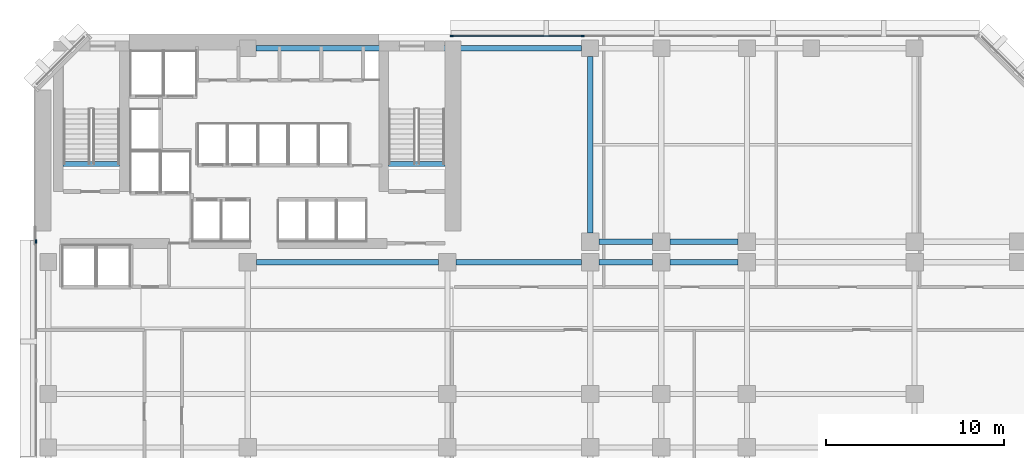
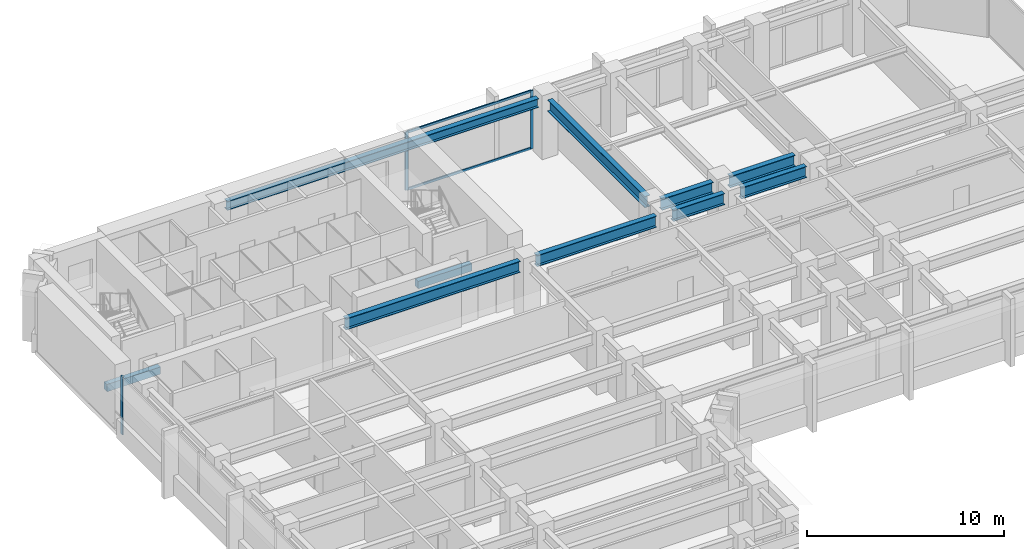
# One storey, part 4 of 13: 10 beams, 5 members, 2 elements without a shape of their own.
"""IFC4 building model written with IfcOpenShell, lengths in metres."""

import ifcopenshell
import ifcopenshell.guid

model = None  # the IFC model being written
_history = None  # IfcOwnerHistory: only IFC2X3 demands one
_inside = {}  # id of a spatial element -> (the spatial element, [elements in it])
_under = {}  # id of a project, library or spatial element -> (it, [spatial elements below it])
_declared = {}  # id of a project -> (the project, [libraries it declares])
_typed = {}  # id of a type object -> (the type object, [elements of that type])
_made_of = {}  # id of a material, layer set ... -> (it, [elements and type objects made of it])


def new_model(schema):
    """Start an empty IFC model of exactly this schema.

    Asked for "IFC4X3", IfcOpenShell would pick the latest addendum, in which some entities
    have other attributes; the version numbers below select the first issue.
    IFC2X3 requires an IfcOwnerHistory on every rooted entity: one is made here for all.
    """
    global model, _history
    if schema == "IFC4X3":
        model = ifcopenshell.file(schema_version=(4, 3, 0, 0))
    else:
        model = ifcopenshell.file(schema=schema)
    _inside.clear()
    _under.clear()
    _declared.clear()
    _typed.clear()
    _made_of.clear()
    _history = None
    if model.schema == "IFC2X3":
        org = make("IfcOrganization", Name="unknown")
        user = make(
            "IfcPersonAndOrganization",
            ThePerson=make("IfcPerson", FamilyName="unknown"),
            TheOrganization=org,
        )
        app = make(
            "IfcApplication",
            ApplicationDeveloper=org,
            Version="unknown",
            ApplicationFullName="unknown",
            ApplicationIdentifier="unknown",
        )
        _history = make(
            "IfcOwnerHistory",
            OwningUser=user,
            OwningApplication=app,
            ChangeAction="ADDED",
            CreationDate=0,
        )
    return model


def make(cls, **values):
    """One entity of the class cls with the attributes given. An attribute that is None is left unset."""
    return model.create_entity(
        cls, **{name: value for name, value in values.items() if value is not None}
    )


def rooted(cls, **values):
    """An entity with a GlobalId (a new one), such as an element, a storey or a relation."""
    return make(cls, GlobalId=ifcopenshell.guid.new(), OwnerHistory=_history, **values)


def si_unit(unit_type, name, prefix=None):
    """IfcSIUnit, for example si_unit("LENGTHUNIT", "METRE", prefix="MILLI")."""
    return make("IfcSIUnit", UnitType=unit_type, Prefix=prefix, Name=name)


def assignment(units):
    """IfcUnitAssignment: the units of a project."""
    return None if units is None else make("IfcUnitAssignment", Units=units)


def point(xyz):
    """IfcCartesianPoint."""
    return None if xyz is None else make("IfcCartesianPoint", Coordinates=xyz)


def direction(xyz):
    """IfcDirection."""
    return None if xyz is None else make("IfcDirection", DirectionRatios=xyz)


def frame(location, z_axis=None, x_axis=None):
    """IfcAxis2Placement3D, a coordinate frame: its origin and axes. An axis left out is left unset."""
    return make(
        "IfcAxis2Placement3D",
        Location=point(location),
        Axis=direction(z_axis),
        RefDirection=direction(x_axis),
    )


def frame_2d(location, x_axis=None):
    """IfcAxis2Placement2D, a coordinate frame in the plane: its origin and x axis."""
    return make(
        "IfcAxis2Placement2D", Location=point(location), RefDirection=direction(x_axis)
    )


def origin():
    """The frame at (0, 0, 0) with its axes left unset."""
    return frame((0.0, 0.0, 0.0))


def origin_2d():
    """The frame at (0, 0) in the plane with its x axis left unset."""
    return frame_2d((0.0, 0.0))


def place(relative_to, where):
    """IfcLocalPlacement: puts the frame where relative to a parent placement (None: the world)."""
    return make(
        "IfcLocalPlacement", PlacementRelTo=relative_to, RelativePlacement=where
    )


def context(
    kind, dimensions, precision=None, world=None, true_north=None, identifier=None
):
    """IfcGeometricRepresentationContext, for example the 3D "Model" context."""
    return make(
        "IfcGeometricRepresentationContext",
        ContextIdentifier=identifier,
        ContextType=kind,
        CoordinateSpaceDimension=dimensions,
        Precision=precision,
        WorldCoordinateSystem=world,
        TrueNorth=true_north,
    )


def subcontext(parent, identifier, kind, view, scale=None):
    """IfcGeometricRepresentationSubContext, for example "Body" below "Model"."""
    return make(
        "IfcGeometricRepresentationSubContext",
        ContextIdentifier=identifier,
        ContextType=kind,
        ParentContext=parent,
        TargetScale=scale,
        TargetView=view,
    )


def project(units=None, contexts=None):
    """IfcProject with its units and contexts."""
    return rooted(
        "IfcProject",
        Name="project",
        RepresentationContexts=contexts,
        UnitsInContext=assignment(units),
    )


def spatial(cls, under=None, at=None, **own):
    """A site, building, storey or space (cls), placed at a placement, below another one or the project."""
    s = rooted(cls, ObjectPlacement=at, **own)
    if under is not None:
        _under.setdefault(under.id(), (under, []))[1].append(s)
    return s


def profile(cls, at=None, kind="AREA", **sizes):
    """A parametric profile (cls). Its sizes go by their IFC names, for example OverallWidth=200.0."""
    return make(cls, ProfileType=kind, Position=at, **sizes)


def rectangle(**sizes):
    """IfcRectangleProfileDef."""
    return profile("IfcRectangleProfileDef", **sizes)


def i_section(**sizes):
    """IfcIShapeProfileDef."""
    return profile("IfcIShapeProfileDef", **sizes)


def extrude(swept, where, along, depth):
    """IfcExtrudedAreaSolid: the profile swept, set in the frame where, extruded along a direction by depth."""
    return make(
        "IfcExtrudedAreaSolid",
        SweptArea=swept,
        Position=where,
        ExtrudedDirection=direction(along),
        Depth=depth,
    )


def shape(context_of_items, identifier, shape_type, items):
    """IfcShapeRepresentation: the items that make up one representation, for example the "Body"."""
    return make(
        "IfcShapeRepresentation",
        ContextOfItems=context_of_items,
        RepresentationIdentifier=identifier,
        RepresentationType=shape_type,
        Items=items,
    )


def material(Name=None, Category=None):
    """IfcMaterial."""
    return make("IfcMaterial", Name=Name, Category=Category)


def layer(
    of_material, thickness, ventilated=None, Name=None, Category=None, Priority=None
):
    """IfcMaterialLayer: one layer of a wall or slab, of a material (None: an air gap)."""
    return make(
        "IfcMaterialLayer",
        Material=of_material,
        LayerThickness=thickness,
        IsVentilated=ventilated,
        Name=Name,
        Category=Category,
        Priority=Priority,
    )


def layer_set(layers, Name=None):
    """IfcMaterialLayerSet."""
    return make("IfcMaterialLayerSet", MaterialLayers=layers, LayerSetName=Name)


def material_profile(
    of_material, cross_section, Name=None, Category=None, Priority=None
):
    """IfcMaterialProfile: a cross section and its material."""
    return make(
        "IfcMaterialProfile",
        Name=Name,
        Material=of_material,
        Profile=cross_section,
        Priority=Priority,
        Category=Category,
    )


def profile_set(profiles, Name=None, composite=None):
    """IfcMaterialProfileSet."""
    return make(
        "IfcMaterialProfileSet",
        Name=Name,
        MaterialProfiles=profiles,
        CompositeProfile=composite,
    )


def made_of(thing, what):
    """Note that an element or type object is made of a material, layer set ...; save() writes the relation."""
    if what is not None:
        _made_of.setdefault(what.id(), (what, []))[1].append(thing)
    return thing


def type_object(cls, material=None, **own):
    """A type object (cls), such as IfcWallType, which elements share."""
    return made_of(rooted(cls, **own), material)


def element(
    cls,
    number,
    at=None,
    inside=None,
    cuts=None,
    type_object=None,
    material=None,
    context=None,
    identifier="Body",
    shape_type=None,
    held_by="IfcProductDefinitionShape",
    body=None,
    shapes=None,
    **own,
):
    """One element of the class cls, such as IfcWall. Its Tag is "e" and its number.

    at: its placement. inside: the storey or other place that contains it. cuts: it is an
    opening in that element (IfcRelVoidsElement). A single representation is given by context,
    identifier, shape_type and body (its items); several are given by shapes. held_by: the class
    of the entity that holds the representations. save() writes the other relations.
    """
    e = rooted(cls, Tag="e%d" % number, ObjectPlacement=at, **own)
    if body is not None:
        shapes = [shape(context, identifier, shape_type, body)]
    if shapes is not None:
        e.Representation = make(held_by, Representations=shapes)
    if inside is not None:
        _inside.setdefault(inside.id(), (inside, []))[1].append(e)
    if cuts is not None:
        rooted(
            "IfcRelVoidsElement", RelatingBuildingElement=cuts, RelatedOpeningElement=e
        )
    if type_object is not None:
        _typed.setdefault(type_object.id(), (type_object, []))[1].append(e)
    return made_of(e, material)


def aggregate(whole, parts):
    """IfcRelAggregates: a whole, such as a stair, and the parts it consists of."""
    return rooted("IfcRelAggregates", RelatingObject=whole, RelatedObjects=parts)


def save(model, path):
    """Write the relations noted so far, then the file.

    IfcRelAggregates (storeys below a building ...), IfcRelContainedInSpatialStructure (elements
    in a storey), IfcRelDefinesByType, IfcRelAssociatesMaterial and IfcRelDeclares: one each for
    every whole, place, type object, material and project.
    """
    for whole, parts in _under.values():
        aggregate(whole, parts)
    for where, things in _inside.values():
        rooted(
            "IfcRelContainedInSpatialStructure",
            RelatedElements=things,
            RelatingStructure=where,
        )
    for kind, things in _typed.values():
        rooted("IfcRelDefinesByType", RelatedObjects=things, RelatingType=kind)
    for what, things in _made_of.values():
        rooted("IfcRelAssociatesMaterial", RelatedObjects=things, RelatingMaterial=what)
    for by, libraries in _declared.values():
        rooted("IfcRelDeclares", RelatingContext=by, RelatedDefinitions=libraries)
    model.write(path)


model = new_model("IFC4")

# Units and contexts
model_context = context("Model", 3, precision=1e-05, world=origin(), true_north=direction((0.0, 1.0)))
body_context = subcontext(model_context, "Body", "Model", "MODEL_VIEW")
ifc_project = project(units=[si_unit("LENGTHUNIT", "METRE"), si_unit("AREAUNIT", "SQUARE_METRE"), si_unit("VOLUMEUNIT", "CUBIC_METRE"), si_unit("PLANEANGLEUNIT", "RADIAN"), si_unit("MASSUNIT", "GRAM", prefix="KILO")], contexts=[model_context])

# Site, building, storey
site_placement = place(None, origin())
site = spatial("IfcSite", under=ifc_project, at=site_placement, CompositionType="ELEMENT")
building_placement = place(site_placement, origin())
building = spatial("IfcBuilding", under=site, at=building_placement, Name="Kefirva Bronze Tower", CompositionType="ELEMENT")
storey_placement = place(building_placement, frame((0.0, 0.0, 89.760009765625)))
storey = spatial("IfcBuildingStorey", under=building, at=storey_placement, Name="L21", CompositionType="ELEMENT", Elevation=89.760009765625)

# Curtain wall, members
ifc_material_1 = material(Name="Bronze anodised aluminium", Category="aluminium")
ifc_layer = layer(ifc_material_1, 0.199951171875, Name="Bronze anodised aluminium")
ifc_layer_set = layer_set([ifc_layer], Name="Bronze anodised aluminium")
curtain_wall_type = type_object("IfcCurtainWallType", Name="Unitised Bronze Ribbon Curtain Wall Zone 1", PredefinedType="USERDEFINED", material=ifc_layer_set)
curtain_wall_1_placement = place(storey_placement, origin())
curtain_wall_1 = element("IfcCurtainWall", 1, at=curtain_wall_1_placement, inside=storey, type_object=curtain_wall_type, Name="L21 Curtain Wall 3", ObjectType="UNITISED CURTAIN WALL", PredefinedType="USERDEFINED")
ifc_material_profile_1 = material_profile(ifc_material_1, rectangle(XDim=0.074951171875, YDim=0.179931640625, at=origin_2d()), Name="ALU 75x180")
ifc_profile_set_1 = profile_set([ifc_material_profile_1], Name="Bronze anodised aluminium")
member_type_1 = type_object("IfcMemberType", Name="Bronze Mullion 75x180", PredefinedType="MULLION", material=ifc_profile_set_1)
member_1_placement = place(storey_placement, frame((30.7900390625, 45.8798828125, 0.0), z_axis=(0.0, 0.0, 1.0), x_axis=(0.0, -1.0, 0.0)))
member_1 = element("IfcMember", 2, at=member_1_placement, type_object=member_type_1, Name="CW-01 mullion 4", PredefinedType="MULLION", context=body_context, shape_type="SweptSolid", body=[
    extrude(rectangle(XDim=0.074951171875, YDim=0.179931640625, at=origin_2d()), origin(), (0.0, 0.0, 1.0), 3.610107421875),
])
member_2_placement = place(storey_placement, frame((23.4423828125, 45.8798828125, 0.0), z_axis=(0.0, 0.0, 1.0), x_axis=(0.0, -1.0, 0.0)))
member_2 = element("IfcMember", 3, at=member_2_placement, type_object=member_type_1, Name="CW-01 mullion 5", PredefinedType="MULLION", context=body_context, shape_type="SweptSolid", body=[
    extrude(rectangle(XDim=0.074951171875, YDim=0.179931640625, at=origin_2d()), origin(), (0.0, 0.0, 1.0), 3.610107421875),
])

# Curtain wall, member
curtain_wall_2_placement = place(storey_placement, origin())
curtain_wall_2 = element("IfcCurtainWall", 4, at=curtain_wall_2_placement, inside=storey, type_object=curtain_wall_type, Name="L21 Curtain Wall 4", ObjectType="UNITISED CURTAIN WALL", PredefinedType="USERDEFINED")
member_3_placement = place(storey_placement, frame((0.1201171875, 34.357421875, 0.0), z_axis=(0.0, 0.0, 1.0), x_axis=(1.0, 0.0, 0.0)))
member_3 = element("IfcMember", 5, at=member_3_placement, type_object=member_type_1, Name="CW-01 mullion 1", PredefinedType="MULLION", context=body_context, shape_type="SweptSolid", body=[
    extrude(rectangle(XDim=0.074951171875, YDim=0.179931640625, at=origin_2d()), origin(), (0.0, 0.0, 1.0), 3.610107421875),
])
aggregate(curtain_wall_2, [member_3])

# Member
ifc_material_profile_2 = material_profile(ifc_material_1, rectangle(XDim=0.074951171875, YDim=0.14990234375, at=origin_2d()), Name="ALU 75x150")
ifc_profile_set_2 = profile_set([ifc_material_profile_2], Name="Bronze anodised aluminium")
member_type_2 = type_object("IfcMemberType", Name="Bronze Transom 75x150", PredefinedType="USERDEFINED", material=ifc_profile_set_2)
member_4_placement = place(storey_placement, frame((30.75244140625, 45.8798828125, 0.03759765625), z_axis=(-1.0, 0.0, 0.0), x_axis=(0.0, -1.0, 0.0)))
member_4 = element("IfcMember", 6, at=member_4_placement, type_object=member_type_2, Name="CW-01 transom 4.1", ObjectType="TRANSOM", PredefinedType="USERDEFINED", context=body_context, shape_type="SweptSolid", body=[
    extrude(rectangle(XDim=0.074951171875, YDim=0.14990234375, at=origin_2d()), origin(), (0.0, 0.0, 1.0), 7.2724609375),
])

member_5_placement = place(storey_placement, frame((30.75244140625, 45.8798828125, 3.572509765625), z_axis=(-1.0, 0.0, 0.0), x_axis=(0.0, -1.0, 0.0)))
member_5 = element("IfcMember", 7, at=member_5_placement, type_object=member_type_2, Name="CW-01 transom 4.2", ObjectType="TRANSOM", PredefinedType="USERDEFINED", context=body_context, shape_type="SweptSolid", body=[
    extrude(rectangle(XDim=0.074951171875, YDim=0.14990234375, at=origin_2d()), origin(), (0.0, 0.0, 1.0), 7.2724609375),
])

aggregate(curtain_wall_1, [member_1, member_2, member_4, member_5])

# Beams
ifc_material_2 = material(Name="Concrete C50/60", Category="concrete")
ifc_material_profile_3 = material_profile(ifc_material_2, rectangle(XDim=0.300048828125, YDim=0.449951171875, at=origin_2d()), Name="RC 300x450")
ifc_profile_set_3 = profile_set([ifc_material_profile_3], Name="Concrete C50/60")
beam_type_1 = type_object("IfcBeamType", Name="RC Stair Trimmer Beam 300x450", PredefinedType="BEAM", material=ifc_profile_set_3)
beam_1_placement = place(storey_placement, frame((1.64501953125, 38.699951171875, -0.22509765625), z_axis=(1.0, 0.0, 0.0), x_axis=(0.0, 1.0, 0.0)))
element("IfcBeam", 8, at=beam_1_placement, inside=storey, type_object=beam_type_1, Name="L21 Stair 1 Landing Trimmer Beam", PredefinedType="BEAM", context=body_context, shape_type="SweptSolid", body=[
    extrude(rectangle(XDim=0.300048828125, YDim=0.449951171875, at=origin_2d()), origin(), (0.0, 0.0, 1.0), 3.14990234375),
])
beam_2_placement = place(storey_placement, frame((19.89501953125, 38.699951171875, -0.22509765625), z_axis=(1.0, 0.0, 0.0), x_axis=(0.0, 1.0, 0.0)))
element("IfcBeam", 9, at=beam_2_placement, inside=storey, type_object=beam_type_1, Name="L21 Stair 2 Landing Trimmer Beam", PredefinedType="BEAM", context=body_context, shape_type="SweptSolid", body=[
    extrude(rectangle(XDim=0.300048828125, YDim=0.449951171875, at=origin_2d()), origin(), (0.0, 0.0, 1.0), 3.159912109375),
])
ifc_material_3 = material(Name="Steel S355", Category="steel")
ifc_material_profile_4 = material_profile(ifc_material_3, i_section(OverallWidth=0.300048828125, OverallDepth=0.699951171875, WebThickness=0.01708984375, FlangeThickness=0.031982421875, at=origin_2d()), Name="HEB 700")
ifc_profile_set_4 = profile_set([ifc_material_profile_4], Name="Steel S355")
beam_type_2 = type_object("IfcBeamType", Name="Steel Girder HEB 700", PredefinedType="USERDEFINED", material=ifc_profile_set_4)
beam_3_placement = place(storey_placement, frame((12.489990234375, 33.199951171875, 3.260009765625), z_axis=(1.0, 0.0, 0.0), x_axis=(0.0, 1.0, 0.0)))
element("IfcBeam", 10, at=beam_3_placement, inside=storey, type_object=beam_type_2, Name="L21 BM-L21-EW-12-332", ObjectType="GIRDER", PredefinedType="USERDEFINED", context=body_context, shape_type="SweptSolid", body=[
    extrude(i_section(OverallWidth=0.300048828125, OverallDepth=0.699951171875, WebThickness=0.01708984375, FlangeThickness=0.031982421875, at=origin_2d()), origin(), (0.0, 0.0, 1.0), 10.219970703125),
])
beam_4_placement = place(storey_placement, frame((23.68994140625, 33.199951171875, 3.260009765625), z_axis=(1.0, 0.0, 0.0), x_axis=(0.0, 1.0, 0.0)))
element("IfcBeam", 11, at=beam_4_placement, inside=storey, type_object=beam_type_2, Name="L21 BM-L21-EW-23-332", ObjectType="GIRDER", PredefinedType="USERDEFINED", context=body_context, shape_type="SweptSolid", body=[
    extrude(i_section(OverallWidth=0.300048828125, OverallDepth=0.699951171875, WebThickness=0.01708984375, FlangeThickness=0.031982421875, at=origin_2d()), origin(), (0.0, 0.0, 1.0), 7.02001953125),
])
beam_5_placement = place(storey_placement, frame((31.68994140625, 33.199951171875, 3.260009765625), z_axis=(1.0, 0.0, 0.0), x_axis=(0.0, 1.0, 0.0)))
element("IfcBeam", 12, at=beam_5_placement, inside=storey, type_object=beam_type_2, Name="L21 BM-L21-EW-31-332", ObjectType="GIRDER", PredefinedType="USERDEFINED", context=body_context, shape_type="SweptSolid", body=[
    extrude(i_section(OverallWidth=0.300048828125, OverallDepth=0.699951171875, WebThickness=0.01708984375, FlangeThickness=0.031982421875, at=origin_2d()), origin(), (0.0, 0.0, 1.0), 3.02001953125),
])
beam_6_placement = place(storey_placement, frame((35.68994140625, 33.199951171875, 3.260009765625), z_axis=(1.0, 0.0, 0.0), x_axis=(0.0, 1.0, 0.0)))
element("IfcBeam", 13, at=beam_6_placement, inside=storey, type_object=beam_type_2, Name="L21 BM-L21-EW-35-332", ObjectType="GIRDER", PredefinedType="USERDEFINED", context=body_context, shape_type="SweptSolid", body=[
    extrude(i_section(OverallWidth=0.300048828125, OverallDepth=0.699951171875, WebThickness=0.01708984375, FlangeThickness=0.031982421875, at=origin_2d()), origin(), (0.0, 0.0, 1.0), 3.820068359375),
])
beam_7_placement = place(storey_placement, frame((31.68994140625, 34.35009765625, 3.260009765625), z_axis=(1.0, 0.0, 0.0), x_axis=(0.0, 1.0, 0.0)))
element("IfcBeam", 14, at=beam_7_placement, inside=storey, type_object=beam_type_2, Name="L21 BM-L21-EW-31-344", ObjectType="GIRDER", PredefinedType="USERDEFINED", context=body_context, shape_type="SweptSolid", body=[
    extrude(i_section(OverallWidth=0.300048828125, OverallDepth=0.699951171875, WebThickness=0.01708984375, FlangeThickness=0.031982421875, at=origin_2d()), origin(), (0.0, 0.0, 1.0), 3.02001953125),
])
beam_8_placement = place(storey_placement, frame((35.68994140625, 34.35009765625, 3.260009765625), z_axis=(1.0, 0.0, 0.0), x_axis=(0.0, 1.0, 0.0)))
element("IfcBeam", 15, at=beam_8_placement, inside=storey, type_object=beam_type_2, Name="L21 BM-L21-EW-35-344", ObjectType="GIRDER", PredefinedType="USERDEFINED", context=body_context, shape_type="SweptSolid", body=[
    extrude(i_section(OverallWidth=0.300048828125, OverallDepth=0.699951171875, WebThickness=0.01708984375, FlangeThickness=0.031982421875, at=origin_2d()), origin(), (0.0, 0.0, 1.0), 3.820068359375),
])
beam_9_placement = place(storey_placement, frame((31.199951171875, 34.840087890625, 3.260009765625), z_axis=(0.0, 1.0, 0.0), x_axis=(-1.0, 0.0, 0.0)))
element("IfcBeam", 16, at=beam_9_placement, inside=storey, type_object=beam_type_2, Name="L21 BM-L21-NS-312-34", ObjectType="GIRDER", PredefinedType="USERDEFINED", context=body_context, shape_type="SweptSolid", body=[
    extrude(i_section(OverallWidth=0.300048828125, OverallDepth=0.699951171875, WebThickness=0.01708984375, FlangeThickness=0.031982421875, at=origin_2d()), origin(), (0.0, 0.0, 1.0), 9.889892578125),
])
ifc_material_profile_5 = material_profile(ifc_material_3, i_section(OverallWidth=0.300048828125, OverallDepth=0.550048828125, WebThickness=0.014892578125, FlangeThickness=0.029052734375, at=origin_2d()), Name="HEB 550")
ifc_profile_set_5 = profile_set([ifc_material_profile_5], Name="Steel S355")
beam_type_3 = type_object("IfcBeamType", Name="Steel Spandrel HEB 550 Ext", PredefinedType="SPANDREL", material=ifc_profile_set_5)
beam_10_placement = place(storey_placement, frame((12.469970703125, 45.199951171875, 3.3349609375), z_axis=(1.0, 0.0, 0.0), x_axis=(0.0, 1.0, 0.0)))
element("IfcBeam", 17, at=beam_10_placement, inside=storey, type_object=beam_type_3, Name="L21 BM-L21-EW-12-452", PredefinedType="SPANDREL", context=body_context, shape_type="SweptSolid", body=[
    extrude(i_section(OverallWidth=0.300048828125, OverallDepth=0.550048828125, WebThickness=0.014892578125, FlangeThickness=0.029052734375, at=origin_2d()), origin(), (0.0, 0.0, 1.0), 18.260009765625),
])

save(model, "model.ifc")
